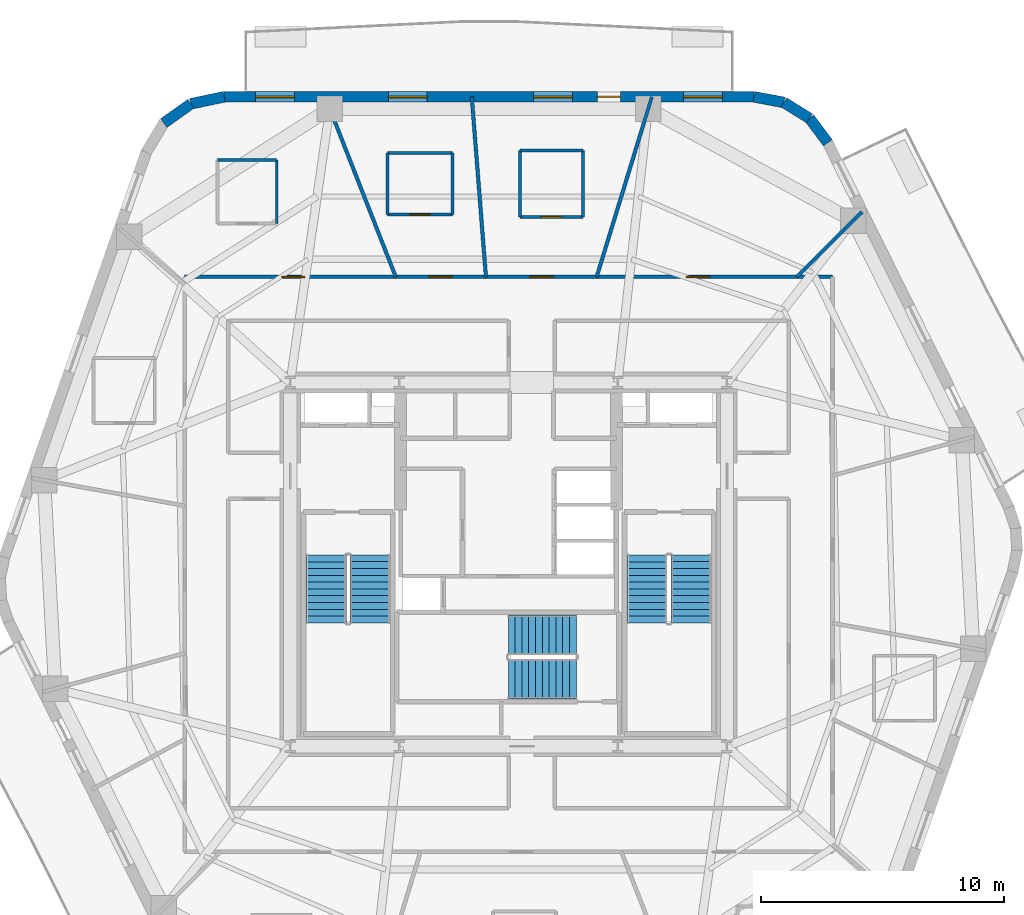
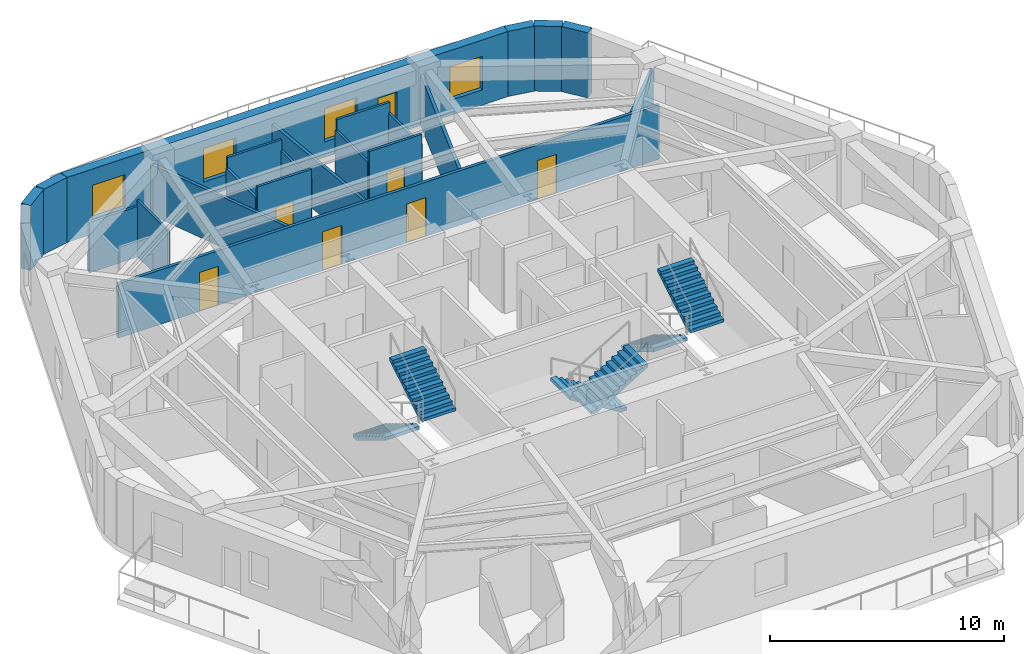
# One storey, part 6 of 10: 21 walls, 7 doors, 6 stair flights, 4 windows, 11 openings, 3 elements without a shape of their own.
"""IFC4 building model written with IfcOpenShell, lengths in metres."""

from ifc_helpers import new_model, si_unit, direction, frame, frame_2d, origin, place, context, subcontext, project, spatial, polyline, rectangle, outline, extrude, material, layer, layer_set, type_object, element, fill, aggregate, save


model = new_model("IFC4")

# Units and contexts
model_context = context("Model", 3, precision=1e-05, world=origin(), true_north=direction((0.0, 1.0)))
body_context = subcontext(model_context, "Body", "Model", "MODEL_VIEW")
ifc_project = project(units=[si_unit("LENGTHUNIT", "METRE"), si_unit("AREAUNIT", "SQUARE_METRE"), si_unit("VOLUMEUNIT", "CUBIC_METRE"), si_unit("PLANEANGLEUNIT", "RADIAN"), si_unit("MASSUNIT", "GRAM", prefix="KILO")], contexts=[model_context])

# Site, building, storey
site_placement = place(None, origin())
site = spatial("IfcSite", under=ifc_project, at=site_placement, CompositionType="ELEMENT")
building_placement = place(site_placement, origin())
building = spatial("IfcBuilding", under=site, at=building_placement, Name="Kilnhurst Terrace Hotel", CompositionType="ELEMENT")
storey_placement = place(building_placement, frame((0.0, 0.0, 148.0)))
storey = spatial("IfcBuildingStorey", under=building, at=storey_placement, Name="L36", CompositionType="ELEMENT", Elevation=148.0)

# Walls
ifc_material_1 = material(Name="Precast concrete C40/50", Category="concrete")
ifc_layer_1 = layer(ifc_material_1, 0.449951171875, Name="Precast concrete C40/50")
ifc_layer_set_1 = layer_set([ifc_layer_1], Name="Precast concrete C40/50")
wall_type_1 = type_object("IfcWallType", Name="WL-BRK-450", PredefinedType="SOLIDWALL", material=ifc_layer_set_1)
wall_1_placement = place(storey_placement, frame((13.162353515625, 17.380615234375, 0.0), z_axis=(0.0, 0.0, 1.0), x_axis=(-0.601515770517, 0.798860925205, 0.0)))
element("IfcWall", 1, at=wall_1_placement, inside=storey, type_object=wall_type_1, Name="L36 Rounded Corner Brick Wall C4.1", PredefinedType="SOLIDWALL", context=body_context, shape_type="SweptSolid", body=[
    extrude(rectangle(XDim=1.261962890625, YDim=0.449951171875, at=frame_2d((0.630859375, 0.0))), origin(), (0.0, 0.0, 1.0), 3.39990234375),
])
wall_2_placement = place(storey_placement, frame((12.4033203125, 18.388671875, 0.0), z_axis=(0.0, 0.0, 1.0), x_axis=(-0.849795170926, 0.527113049991, 0.0)))
element("IfcWall", 2, at=wall_2_placement, inside=storey, type_object=wall_type_1, Name="L36 Rounded Corner Brick Wall C4.2", PredefinedType="SOLIDWALL", context=body_context, shape_type="SweptSolid", body=[
    extrude(rectangle(XDim=1.24072265625, YDim=0.449951171875, at=frame_2d((0.620361328125, 0.0))), origin(), (0.0, 0.0, 1.0), 3.39990234375),
])
wall_3_placement = place(storey_placement, frame((11.348876953125, 19.042724609375, 0.0), z_axis=(0.0, 0.0, 1.0), x_axis=(-0.982931267051, 0.183973161772, 0.0)))
element("IfcWall", 3, at=wall_3_placement, inside=storey, type_object=wall_type_1, Name="L36 Rounded Corner Brick Wall C4.3", PredefinedType="SOLIDWALL", context=body_context, shape_type="SweptSolid", body=[
    extrude(rectangle(XDim=1.261962890625, YDim=0.449951171875, at=frame_2d((0.630859375, 0.0))), origin(), (0.0, 0.0, 1.0), 3.39990234375),
])
wall_4_placement = place(storey_placement, frame((-11.720458984375, 19.27490234375, 0.0), z_axis=(0.0, 0.0, 1.0), x_axis=(-0.97893106758, -0.204191001093, 0.0)))
element("IfcWall", 4, at=wall_4_placement, inside=storey, type_object=wall_type_1, Name="L36 Rounded Corner Brick Wall C5.1", PredefinedType="SOLIDWALL", context=body_context, shape_type="SweptSolid", body=[
    extrude(rectangle(XDim=1.400146484375, YDim=0.449951171875, at=frame_2d((0.7001953125, 0.0))), origin(), (0.0, 0.0, 1.0), 3.39990234375),
])
wall_5_placement = place(storey_placement, frame((-13.091064453125, 18.989013671875, 0.0), z_axis=(0.0, 0.0, 1.0), x_axis=(-0.815574637848, -0.578651890258, 0.0)))
element("IfcWall", 5, at=wall_5_placement, inside=storey, type_object=wall_type_1, Name="L36 Rounded Corner Brick Wall C5.2", PredefinedType="SOLIDWALL", context=body_context, shape_type="SweptSolid", body=[
    extrude(rectangle(XDim=1.376708984375, YDim=0.449951171875, at=frame_2d((0.6884765625, 0.0))), origin(), (0.0, 0.0, 1.0), 3.39990234375),
])

# Wall, openings, door, windows
wall_6_placement = place(storey_placement, frame((10.1083984375, 19.27490234375, 0.0), z_axis=(0.0, 0.0, 1.0), x_axis=(-1.0, 0.0, 0.0)))
wall_6 = element("IfcWall", 6, at=wall_6_placement, inside=storey, type_object=wall_type_1, Name="L36 Exterior Brick Facade Wall F4", PredefinedType="SOLIDWALL", context=body_context, shape_type="SweptSolid", body=[
    extrude(rectangle(XDim=21.828857421875, YDim=0.449951171875, at=frame_2d((10.91455078125, 0.0))), origin(), (0.0, 0.0, 1.0), 3.39990234375),
])
opening_1_placement = place(wall_6_placement, frame((5.5029296875, 0.0, 0.0)))
opening_1 = element("IfcOpeningElement", 7, at=opening_1_placement, cuts=wall_6, Name="Opening BD-950", PredefinedType="OPENING", context=body_context, shape_type="SweptSolid", body=[
    extrude(rectangle(XDim=0.949951171875, YDim=2.14990234375, at=frame_2d((0.47509765625, 1.074951171875))), frame((0.0, 0.23486328125, 0.0), z_axis=(0.0, -1.0, 0.0), x_axis=(1.0, 0.0, 0.0)), (0.0, 0.0, 1.0), 0.469970703125),
])
opening_2_placement = place(wall_6_placement, frame((1.297119140625, 0.0, 0.800048828125)))
opening_2 = element("IfcOpeningElement", 8, at=opening_2_placement, cuts=wall_6, Name="Opening W-05", PredefinedType="OPENING", context=body_context, shape_type="SweptSolid", body=[
    extrude(rectangle(XDim=1.60009765625, YDim=1.75, at=frame_2d((0.800048828125, 0.875))), frame((0.0, 0.23486328125, 0.0), z_axis=(0.0, -1.0, 0.0), x_axis=(1.0, 0.0, 0.0)), (0.0, 0.0, 1.0), 0.469970703125),
])
opening_3_placement = place(wall_6_placement, frame((7.47900390625, 0.0, 0.800048828125)))
opening_3 = element("IfcOpeningElement", 9, at=opening_3_placement, cuts=wall_6, Name="Opening W-05", PredefinedType="OPENING", context=body_context, shape_type="SweptSolid", body=[
    extrude(rectangle(XDim=1.60009765625, YDim=1.75, at=frame_2d((0.800048828125, 0.875))), frame((0.0, 0.23486328125, 0.0), z_axis=(0.0, -1.0, 0.0), x_axis=(1.0, 0.0, 0.0)), (0.0, 0.0, 1.0), 0.469970703125),
])
opening_4_placement = place(wall_6_placement, frame((13.4609375, 0.0, 0.800048828125)))
opening_4 = element("IfcOpeningElement", 10, at=opening_4_placement, cuts=wall_6, Name="Opening W-05", PredefinedType="OPENING", context=body_context, shape_type="SweptSolid", body=[
    extrude(rectangle(XDim=1.60009765625, YDim=1.75, at=frame_2d((0.800048828125, 0.875))), frame((0.0, 0.23486328125, 0.0), z_axis=(0.0, -1.0, 0.0), x_axis=(1.0, 0.0, 0.0)), (0.0, 0.0, 1.0), 0.469970703125),
])
opening_5_placement = place(wall_6_placement, frame((18.93310546875, 0.0, 0.800048828125)))
opening_5 = element("IfcOpeningElement", 11, at=opening_5_placement, cuts=wall_6, Name="Opening W-05", PredefinedType="OPENING", context=body_context, shape_type="SweptSolid", body=[
    extrude(rectangle(XDim=1.60009765625, YDim=1.75, at=frame_2d((0.800048828125, 0.875))), frame((0.0, 0.23486328125, 0.0), z_axis=(0.0, -1.0, 0.0), x_axis=(1.0, 0.0, 0.0)), (0.0, 0.0, 1.0), 0.469970703125),
])
ifc_material_2 = material(Name="Thermally Broken Bronze Aluminium Alloy 6063-T6 and Laminated Glass", Category="aluminium")
door_type_1 = type_object("IfcDoorType", Name="DR-EXT-BAL-950", OperationType="NOTDEFINED", PredefinedType="DOOR", material=ifc_material_2)
door_1_placement = place(opening_1_placement, origin())
door_1 = element("IfcDoor", 12, at=door_1_placement, inside=storey, type_object=door_type_1, Name="L36 Planted Balcony Door BAL-L1B", OperationType="SINGLE_SWING_RIGHT", OverallHeight=2.14990234375, OverallWidth=0.949951171875, PredefinedType="DOOR", context=body_context, shape_type="SweptSolid", body=[
    extrude(rectangle(XDim=0.949951171875, YDim=2.14990234375, at=frame_2d((0.47509765625, 1.074951171875))), frame((0.0, 0.02490234375, 0.0), z_axis=(0.0, -1.0, 0.0), x_axis=(1.0, 0.0, 0.0)), (0.0, 0.0, 1.0), 0.050048828125),
])
fill(opening_1, door_1)
ifc_material_3 = material(Name="Thermally Broken Bronze Aluminium Alloy 6063-T6 and Low-E Glass", Category="aluminium")
window_type = type_object("IfcWindowType", Name="WIN-1600X1750", PartitioningType="SINGLE_PANEL", PredefinedType="WINDOW", material=ifc_material_3)
window_1_placement = place(opening_2_placement, origin())
window_1 = element("IfcWindow", 13, at=window_1_placement, inside=storey, type_object=window_type, Name="L36 Deep-Set Masonry Window F4.1", OverallHeight=1.75, OverallWidth=1.60009765625, PartitioningType="SINGLE_PANEL", PredefinedType="WINDOW", context=body_context, shape_type="SweptSolid", body=[
    extrude(rectangle(XDim=1.60009765625, YDim=1.75, at=frame_2d((0.800048828125, 0.875))), frame((0.0, 0.030029296875, 0.0), z_axis=(0.0, -1.0, 0.0), x_axis=(1.0, 0.0, 0.0)), (0.0, 0.0, 1.0), 0.06005859375),
])
fill(opening_2, window_1)
window_2_placement = place(opening_3_placement, origin())
window_2 = element("IfcWindow", 14, at=window_2_placement, inside=storey, type_object=window_type, Name="L36 Deep-Set Masonry Window F4.2", OverallHeight=1.75, OverallWidth=1.60009765625, PartitioningType="SINGLE_PANEL", PredefinedType="WINDOW", context=body_context, shape_type="SweptSolid", body=[
    extrude(rectangle(XDim=1.60009765625, YDim=1.75, at=frame_2d((0.800048828125, 0.875))), frame((0.0, 0.030029296875, 0.0), z_axis=(0.0, -1.0, 0.0), x_axis=(1.0, 0.0, 0.0)), (0.0, 0.0, 1.0), 0.06005859375),
])
fill(opening_3, window_2)
window_3_placement = place(opening_4_placement, origin())
window_3 = element("IfcWindow", 15, at=window_3_placement, inside=storey, type_object=window_type, Name="L36 Deep-Set Masonry Window F4.3", OverallHeight=1.75, OverallWidth=1.60009765625, PartitioningType="SINGLE_PANEL", PredefinedType="WINDOW", context=body_context, shape_type="SweptSolid", body=[
    extrude(rectangle(XDim=1.60009765625, YDim=1.75, at=frame_2d((0.800048828125, 0.875))), frame((0.0, 0.030029296875, 0.0), z_axis=(0.0, -1.0, 0.0), x_axis=(1.0, 0.0, 0.0)), (0.0, 0.0, 1.0), 0.06005859375),
])
fill(opening_4, window_3)
window_4_placement = place(opening_5_placement, origin())
window_4 = element("IfcWindow", 16, at=window_4_placement, inside=storey, type_object=window_type, Name="L36 Deep-Set Masonry Window F4.4", OverallHeight=1.75, OverallWidth=1.60009765625, PartitioningType="SINGLE_PANEL", PredefinedType="WINDOW", context=body_context, shape_type="SweptSolid", body=[
    extrude(rectangle(XDim=1.60009765625, YDim=1.75, at=frame_2d((0.800048828125, 0.875))), frame((0.0, 0.030029296875, 0.0), z_axis=(0.0, -1.0, 0.0), x_axis=(1.0, 0.0, 0.0)), (0.0, 0.0, 1.0), 0.06005859375),
])
fill(opening_5, window_4)

# Wall, openings, doors
ifc_material_4 = material(Name="Acoustic Double-Gypsum Corridor Partition Assembly")
ifc_layer_2 = layer(ifc_material_4, 0.14990234375, Name="Acoustic Double-Gypsum Corridor Partition Assembly")
ifc_layer_set_2 = layer_set([ifc_layer_2], Name="Acoustic Double-Gypsum Corridor Partition Assembly")
wall_type_2 = type_object("IfcWallType", Name="WL-COR-150", PredefinedType="PARTITIONING", material=ifc_layer_set_2)
wall_7_placement = place(storey_placement, frame((-13.35009765625, 11.85009765625, 0.0), z_axis=(0.0, 0.0, 1.0), x_axis=(1.0, 0.0, 0.0)))
wall_7 = element("IfcWall", 17, at=wall_7_placement, inside=storey, type_object=wall_type_2, Name="L36 Interior Wall WL-L36-COR-03", PredefinedType="PARTITIONING", context=body_context, shape_type="SweptSolid", body=[
    extrude(rectangle(XDim=26.7001953125, YDim=0.14990234375, at=frame_2d((13.35009765625, 0.0))), origin(), (0.0, 0.0, 1.0), 2.840087890625),
])
opening_6_placement = place(wall_7_placement, frame((20.681884765625, 0.0, 0.0)))
opening_6 = element("IfcOpeningElement", 18, at=opening_6_placement, cuts=wall_7, Name="Opening D-60B", PredefinedType="OPENING", context=body_context, shape_type="SweptSolid", body=[
    extrude(rectangle(XDim=0.949951171875, YDim=2.030029296875, at=frame_2d((0.47509765625, 1.01513671875))), frame((0.0, 0.0849609375, 0.0), z_axis=(0.0, -1.0, 0.0), x_axis=(1.0, 0.0, 0.0)), (0.0, 0.0, 1.0), 0.169921875),
])
opening_7_placement = place(wall_7_placement, frame((14.22900390625, 0.0, 0.0)))
opening_7 = element("IfcOpeningElement", 19, at=opening_7_placement, cuts=wall_7, Name="Opening D-60B", PredefinedType="OPENING", context=body_context, shape_type="SweptSolid", body=[
    extrude(rectangle(XDim=0.949951171875, YDim=2.030029296875, at=frame_2d((0.47509765625, 1.01513671875))), frame((0.0, 0.0849609375, 0.0), z_axis=(0.0, -1.0, 0.0), x_axis=(1.0, 0.0, 0.0)), (0.0, 0.0, 1.0), 0.169921875),
])
opening_8_placement = place(wall_7_placement, frame((10.074951171875, 0.0, 0.0)))
opening_8 = element("IfcOpeningElement", 20, at=opening_8_placement, cuts=wall_7, Name="Opening D-60B", PredefinedType="OPENING", context=body_context, shape_type="SweptSolid", body=[
    extrude(rectangle(XDim=0.949951171875, YDim=2.030029296875, at=frame_2d((0.47509765625, 1.01513671875))), frame((0.0, 0.0849609375, 0.0), z_axis=(0.0, -1.0, 0.0), x_axis=(1.0, 0.0, 0.0)), (0.0, 0.0, 1.0), 0.169921875),
])
opening_9_placement = place(wall_7_placement, frame((3.9951171875, 0.0, 0.0)))
opening_9 = element("IfcOpeningElement", 21, at=opening_9_placement, cuts=wall_7, Name="Opening D-60B", PredefinedType="OPENING", context=body_context, shape_type="SweptSolid", body=[
    extrude(rectangle(XDim=0.949951171875, YDim=2.030029296875, at=frame_2d((0.47509765625, 1.01513671875))), frame((0.0, 0.0849609375, 0.0), z_axis=(0.0, -1.0, 0.0), x_axis=(1.0, 0.0, 0.0)), (0.0, 0.0, 1.0), 0.169921875),
])
ifc_material_5 = material(Name="Acoustic Walnut Veneer Solid-Core Fire Door")
door_type_2 = type_object("IfcDoorType", Name="DR-FD60-950", OperationType="NOTDEFINED", PredefinedType="DOOR", material=ifc_material_5)
door_2_placement = place(opening_6_placement, origin())
door_2 = element("IfcDoor", 22, at=door_2_placement, inside=storey, type_object=door_type_2, Name="L36 Fitness Studio Door", OperationType="SINGLE_SWING_RIGHT", OverallHeight=2.030029296875, OverallWidth=0.949951171875, PredefinedType="DOOR", context=body_context, shape_type="SweptSolid", body=[
    extrude(rectangle(XDim=0.949951171875, YDim=2.030029296875, at=frame_2d((0.47509765625, 1.01513671875))), frame((0.0, 0.02490234375, 0.0), z_axis=(0.0, -1.0, 0.0), x_axis=(1.0, 0.0, 0.0)), (0.0, 0.0, 1.0), 0.050048828125),
])
fill(opening_6, door_2)
door_3_placement = place(opening_7_placement, origin())
door_3 = element("IfcDoor", 23, at=door_3_placement, inside=storey, type_object=door_type_2, Name="L36 Guest Room Entry Door 3", OperationType="SINGLE_SWING_LEFT", OverallHeight=2.030029296875, OverallWidth=0.949951171875, PredefinedType="DOOR", context=body_context, shape_type="SweptSolid", body=[
    extrude(rectangle(XDim=0.949951171875, YDim=2.030029296875, at=frame_2d((0.47509765625, 1.01513671875))), frame((0.0, 0.02490234375, 0.0), z_axis=(0.0, -1.0, 0.0), x_axis=(1.0, 0.0, 0.0)), (0.0, 0.0, 1.0), 0.050048828125),
])
fill(opening_7, door_3)
door_4_placement = place(opening_8_placement, origin())
door_4 = element("IfcDoor", 24, at=door_4_placement, inside=storey, type_object=door_type_2, Name="L36 Guest Room Entry Door 4", OperationType="SINGLE_SWING_RIGHT", OverallHeight=2.030029296875, OverallWidth=0.949951171875, PredefinedType="DOOR", context=body_context, shape_type="SweptSolid", body=[
    extrude(rectangle(XDim=0.949951171875, YDim=2.030029296875, at=frame_2d((0.47509765625, 1.01513671875))), frame((0.0, 0.02490234375, 0.0), z_axis=(0.0, -1.0, 0.0), x_axis=(1.0, 0.0, 0.0)), (0.0, 0.0, 1.0), 0.050048828125),
])
fill(opening_8, door_4)
door_5_placement = place(opening_9_placement, origin())
door_5 = element("IfcDoor", 25, at=door_5_placement, inside=storey, type_object=door_type_2, Name="L36 Executive Suite Entry Door 5", OperationType="SINGLE_SWING_LEFT", OverallHeight=2.030029296875, OverallWidth=0.949951171875, PredefinedType="DOOR", context=body_context, shape_type="SweptSolid", body=[
    extrude(rectangle(XDim=0.949951171875, YDim=2.030029296875, at=frame_2d((0.47509765625, 1.01513671875))), frame((0.0, 0.02490234375, 0.0), z_axis=(0.0, -1.0, 0.0), x_axis=(1.0, 0.0, 0.0)), (0.0, 0.0, 1.0), 0.050048828125),
])
fill(opening_9, door_5)

# Walls
ifc_material_6 = material(Name="STC-58 Acoustic Twin-Frame Guestroom Demising Partition")
ifc_layer_3 = layer(ifc_material_6, 0.14990234375, Name="STC-58 Acoustic Twin-Frame Guestroom Demising Partition")
ifc_layer_set_3 = layer_set([ifc_layer_3], Name="STC-58 Acoustic Twin-Frame Guestroom Demising Partition")
wall_type_3 = type_object("IfcWallType", Name="WL-DEM-150", PredefinedType="PARTITIONING", material=ifc_layer_set_3)
wall_8_placement = place(storey_placement, frame((11.8818359375, 11.85009765625, 0.0), z_axis=(0.0, 0.0, 1.0), x_axis=(0.708037373639, 0.706174962407, 0.0)))
element("IfcWall", 26, at=wall_8_placement, inside=storey, type_object=wall_type_3, Name="L36 Interior Wall WL-L36-DEM-COL02-02-1", PredefinedType="PARTITIONING", context=body_context, shape_type="SweptSolid", body=[
    extrude(rectangle(XDim=3.801513671875, YDim=0.14990234375, at=frame_2d((1.90087890625, 0.0))), origin(), (0.0, 0.0, 1.0), 2.639892578125),
])
wall_9_placement = place(storey_placement, frame((3.63134765625, 11.85009765625, 0.0), z_axis=(0.0, 0.0, 1.0), x_axis=(0.293007573338, 0.956110120209, 0.0)))
element("IfcWall", 27, at=wall_9_placement, inside=storey, type_object=wall_type_3, Name="L36 Interior Wall WL-L36-DEM-COL03-03-1", PredefinedType="PARTITIONING", context=body_context, shape_type="SweptSolid", body=[
    extrude(rectangle(XDim=7.765625, YDim=0.14990234375, at=frame_2d((3.8828125, 0.0))), origin(), (0.0, 0.0, 1.0), 2.639892578125),
])
wall_10_placement = place(storey_placement, frame((-0.932861328125, 11.85009765625, 0.0), z_axis=(0.0, 0.0, 1.0), x_axis=(-0.078476156849, 0.996915990847, 0.0)))
element("IfcWall", 28, at=wall_10_placement, inside=storey, type_object=wall_type_3, Name="L36 Interior Wall WL-L36-DEM-MID03-04-1", PredefinedType="PARTITIONING", context=body_context, shape_type="SweptSolid", body=[
    extrude(rectangle(XDim=7.44775390625, YDim=0.14990234375, at=frame_2d((3.723876953125, 0.0))), origin(), (0.0, 0.0, 1.0), 2.639892578125),
])
wall_11_placement = place(storey_placement, frame((-4.64990234375, 11.85009765625, 0.0), z_axis=(0.0, 0.0, 1.0), x_axis=(-0.365265947993, 0.930903210456, 0.0)))
element("IfcWall", 29, at=wall_11_placement, inside=storey, type_object=wall_type_3, Name="L36 Interior Wall WL-L36-DEM-COL04-05-1", PredefinedType="PARTITIONING", context=body_context, shape_type="SweptSolid", body=[
    extrude(rectangle(XDim=7.975830078125, YDim=0.14990234375, at=frame_2d((3.98779296875, 0.0))), origin(), (0.0, 0.0, 1.0), 2.639892578125),
])

# Wall, opening, door
ifc_material_7 = material(Name="120 mm Moisture-Resistant Tile-Backed Bathroom Partition")
ifc_layer_4 = layer(ifc_material_7, 0.1201171875, Name="120 mm Moisture-Resistant Tile-Backed Bathroom Partition")
ifc_layer_set_4 = layer_set([ifc_layer_4], Name="120 mm Moisture-Resistant Tile-Backed Bathroom Partition")
wall_type_4 = type_object("IfcWallType", Name="WL-PART-120", PredefinedType="PARTITIONING", material=ifc_layer_set_4)
wall_12_placement = place(storey_placement, frame((0.464111328125, 14.31298828125, 0.0), z_axis=(0.0, 0.0, 1.0), x_axis=(1.0, 0.0, 0.0)))
wall_12 = element("IfcWall", 30, at=wall_12_placement, inside=storey, type_object=wall_type_4, Name="L36 Interior Wall WL-L36-BTH-03-1", PredefinedType="PARTITIONING", context=body_context, shape_type="SweptSolid", body=[
    extrude(rectangle(XDim=2.599853515625, YDim=0.1201171875, at=frame_2d((1.2998046875, 0.0))), origin(), (0.0, 0.0, 1.0), 3.39990234375),
])
opening_10_placement = place(wall_12_placement, frame((0.875, 0.0, 0.0)))
opening_10 = element("IfcOpeningElement", 31, at=opening_10_placement, cuts=wall_12, Name="Opening D-08A", PredefinedType="OPENING", context=body_context, shape_type="SweptSolid", body=[
    extrude(rectangle(XDim=0.85009765625, YDim=2.030029296875, at=frame_2d((0.425048828125, 1.01513671875))), frame((0.0, 0.070068359375, 0.0), z_axis=(0.0, -1.0, 0.0), x_axis=(1.0, 0.0, 0.0)), (0.0, 0.0, 1.0), 0.14013671875),
])
ifc_material_8 = material(Name="Moisture-Resistant Lacquered En-suite Bathroom Door")
door_type_3 = type_object("IfcDoorType", Name="DR-INT-850", OperationType="NOTDEFINED", PredefinedType="DOOR", material=ifc_material_8)
door_6_placement = place(opening_10_placement, origin())
door_6 = element("IfcDoor", 32, at=door_6_placement, inside=storey, type_object=door_type_3, Name="L36 En-suite Bathroom Door 3", OperationType="SINGLE_SWING_RIGHT", OverallHeight=2.030029296875, OverallWidth=0.85009765625, PredefinedType="DOOR", context=body_context, shape_type="SweptSolid", body=[
    extrude(rectangle(XDim=0.85009765625, YDim=2.030029296875, at=frame_2d((0.425048828125, 1.01513671875))), frame((0.0, 0.02490234375, 0.0), z_axis=(0.0, -1.0, 0.0), x_axis=(1.0, 0.0, 0.0)), (0.0, 0.0, 1.0), 0.050048828125),
])
fill(opening_10, door_6)

# Walls
wall_13_placement = place(storey_placement, frame((3.06396484375, 14.31298828125, 0.0), z_axis=(0.0, 0.0, 1.0), x_axis=(0.0, 1.0, 0.0)))
element("IfcWall", 33, at=wall_13_placement, inside=storey, type_object=wall_type_4, Name="L36 Interior Wall WL-L36-BTH-03-2", PredefinedType="PARTITIONING", context=body_context, shape_type="SweptSolid", body=[
    extrude(rectangle(XDim=2.75, YDim=0.1201171875, at=frame_2d((1.375, 0.0))), origin(), (0.0, 0.0, 1.0), 2.840576171875),
])
wall_14_placement = place(storey_placement, frame((3.06396484375, 17.06298828125, 0.0), z_axis=(0.0, 0.0, 1.0), x_axis=(-1.0, 0.0, 0.0)))
element("IfcWall", 34, at=wall_14_placement, inside=storey, type_object=wall_type_4, Name="L36 Interior Wall WL-L36-BTH-03-3", PredefinedType="PARTITIONING", context=body_context, shape_type="SweptSolid", body=[
    extrude(rectangle(XDim=2.599853515625, YDim=0.1201171875, at=frame_2d((1.2998046875, 0.0))), origin(), (0.0, 0.0, 1.0), 3.39990234375),
])
wall_15_placement = place(storey_placement, frame((0.464111328125, 17.06298828125, 0.0), z_axis=(0.0, 0.0, 1.0), x_axis=(0.0, -1.0, 0.0)))
element("IfcWall", 35, at=wall_15_placement, inside=storey, type_object=wall_type_4, Name="L36 Interior Wall WL-L36-BTH-03-4", PredefinedType="PARTITIONING", context=body_context, shape_type="SweptSolid", body=[
    extrude(rectangle(XDim=2.75, YDim=0.1201171875, at=frame_2d((1.375, 0.0))), origin(), (0.0, 0.0, 1.0), 2.840576171875),
])

# Wall, opening, door
wall_16_placement = place(storey_placement, frame((-4.998046875, 14.41796875, 0.0), z_axis=(0.0, 0.0, 1.0), x_axis=(1.0, 0.0, 0.0)))
wall_16 = element("IfcWall", 36, at=wall_16_placement, inside=storey, type_object=wall_type_4, Name="L36 Interior Wall WL-L36-BTH-04-1", PredefinedType="PARTITIONING", context=body_context, shape_type="SweptSolid", body=[
    extrude(rectangle(XDim=2.679931640625, YDim=0.1201171875, at=frame_2d((1.33984375, 0.0))), origin(), (0.0, 0.0, 1.0), 3.39990234375),
])
opening_11_placement = place(wall_16_placement, frame((0.9150390625, 0.0, 0.0)))
opening_11 = element("IfcOpeningElement", 37, at=opening_11_placement, cuts=wall_16, Name="Opening D-08A", PredefinedType="OPENING", context=body_context, shape_type="SweptSolid", body=[
    extrude(rectangle(XDim=0.85009765625, YDim=2.030029296875, at=frame_2d((0.425048828125, 1.01513671875))), frame((0.0, 0.070068359375, 0.0), z_axis=(0.0, -1.0, 0.0), x_axis=(1.0, 0.0, 0.0)), (0.0, 0.0, 1.0), 0.14013671875),
])
door_7_placement = place(opening_11_placement, origin())
door_7 = element("IfcDoor", 38, at=door_7_placement, inside=storey, type_object=door_type_3, Name="L36 En-suite Bathroom Door 4", OperationType="SINGLE_SWING_LEFT", OverallHeight=2.030029296875, OverallWidth=0.85009765625, PredefinedType="DOOR", context=body_context, shape_type="SweptSolid", body=[
    extrude(rectangle(XDim=0.85009765625, YDim=2.030029296875, at=frame_2d((0.425048828125, 1.01513671875))), frame((0.0, 0.02490234375, 0.0), z_axis=(0.0, -1.0, 0.0), x_axis=(1.0, 0.0, 0.0)), (0.0, 0.0, 1.0), 0.050048828125),
])
fill(opening_11, door_7)

# Walls
wall_17_placement = place(storey_placement, frame((-2.318115234375, 14.41796875, 0.0), z_axis=(0.0, 0.0, 1.0), x_axis=(0.0, 1.0, 0.0)))
element("IfcWall", 39, at=wall_17_placement, inside=storey, type_object=wall_type_4, Name="L36 Interior Wall WL-L36-BTH-04-2", PredefinedType="PARTITIONING", context=body_context, shape_type="SweptSolid", body=[
    extrude(rectangle(XDim=2.5400390625, YDim=0.1201171875, at=frame_2d((1.27001953125, 0.0))), origin(), (0.0, 0.0, 1.0), 2.840576171875),
])
wall_18_placement = place(storey_placement, frame((-2.318115234375, 16.9580078125, 0.0), z_axis=(0.0, 0.0, 1.0), x_axis=(-1.0, 0.0, 0.0)))
element("IfcWall", 40, at=wall_18_placement, inside=storey, type_object=wall_type_4, Name="L36 Interior Wall WL-L36-BTH-04-3", PredefinedType="PARTITIONING", context=body_context, shape_type="SweptSolid", body=[
    extrude(rectangle(XDim=2.679931640625, YDim=0.1201171875, at=frame_2d((1.33984375, 0.0))), origin(), (0.0, 0.0, 1.0), 3.39990234375),
])
wall_19_placement = place(storey_placement, frame((-4.998046875, 16.9580078125, 0.0), z_axis=(0.0, 0.0, 1.0), x_axis=(0.0, -1.0, 0.0)))
element("IfcWall", 41, at=wall_19_placement, inside=storey, type_object=wall_type_4, Name="L36 Interior Wall WL-L36-BTH-04-4", PredefinedType="PARTITIONING", context=body_context, shape_type="SweptSolid", body=[
    extrude(rectangle(XDim=2.5400390625, YDim=0.1201171875, at=frame_2d((1.27001953125, 0.0))), origin(), (0.0, 0.0, 1.0), 2.840576171875),
])
wall_20_placement = place(storey_placement, frame((-9.555908203125, 14.056884765625, 0.0), z_axis=(0.0, 0.0, 1.0), x_axis=(0.0, 1.0, 0.0)))
element("IfcWall", 42, at=wall_20_placement, inside=storey, type_object=wall_type_4, Name="L36 Interior Wall WL-L36-BTH-05-2", PredefinedType="PARTITIONING", context=body_context, shape_type="SweptSolid", body=[
    extrude(rectangle(XDim=2.610107421875, YDim=0.1201171875, at=frame_2d((1.30517578125, 0.0))), origin(), (0.0, 0.0, 1.0), 2.926513671875),
])
wall_21_placement = place(storey_placement, frame((-9.555908203125, 16.6669921875, 0.0), z_axis=(0.0, 0.0, 1.0), x_axis=(-1.0, 0.0, 0.0)))
element("IfcWall", 43, at=wall_21_placement, inside=storey, type_object=wall_type_4, Name="L36 Interior Wall WL-L36-BTH-05-3", PredefinedType="PARTITIONING", context=body_context, shape_type="SweptSolid", body=[
    extrude(rectangle(XDim=2.440185546875, YDim=0.1201171875, at=frame_2d((1.22021484375, 0.0))), origin(), (0.0, 0.0, 1.0), 2.639892578125),
])

# Stair, stair flights
ifc_material_9 = material(Name="Concrete C50/60", Category="concrete")
stair_type = type_object("IfcStairType", Name="STR-CORE-1660", PredefinedType="HALF_TURN_STAIR", material=ifc_material_9)
stair_1_placement = place(storey_placement, origin())
stair_1 = element("IfcStair", 44, at=stair_1_placement, inside=storey, type_object=stair_type, Name="L36 ST-1", PredefinedType="HALF_TURN_STAIR")
stair_flight_type = type_object("IfcStairFlightType", Name="FLT-RC-1660", PredefinedType="STRAIGHT", material=ifc_material_9)
stair_flight_1_placement = place(storey_placement, frame((-7.52001953125, 0.389892578125, 0.0), z_axis=(0.0, 0.0, 1.0), x_axis=(0.0, -1.0, 0.0)))
stair_flight_1 = element("IfcStairFlight", 45, at=stair_flight_1_placement, type_object=stair_flight_type, Name="ST-1 flight 1", NumberOfRisers=11, NumberOfTreads=10, PredefinedType="STRAIGHT", RiserHeight=0.168181818, TreadLength=0.28, context=body_context, shape_type="SweptSolid", body=[
    extrude(outline(polyline([(0.0, 0.0), (0.0, 0.168212890625), (0.280029296875, 0.168212890625), (0.280029296875, 0.33642578125), (0.56005859375, 0.33642578125), (0.56005859375, 0.504638671875), (0.840087890625, 0.504638671875), (0.840087890625, 0.672607421875), (1.1201171875, 0.672607421875), (1.1201171875, 0.8408203125), (1.39990234375, 0.8408203125), (1.39990234375, 1.009033203125), (1.679931640625, 1.009033203125), (1.679931640625, 1.17724609375), (1.9599609375, 1.17724609375), (1.9599609375, 1.345458984375), (2.239990234375, 1.345458984375), (2.239990234375, 1.513671875), (2.52001953125, 1.513671875), (2.52001953125, 1.681884765625), (2.800048828125, 1.681884765625), (2.800048828125, 1.85009765625), (2.800048828125, 1.5068359375), (0.291015625, 0.0), (0.0, 0.0)])), frame((0.0, 0.830078125, 0.0), z_axis=(0.0, -1.0, 0.0), x_axis=(1.0, 0.0, 0.0)), (0.0, 0.0, 1.0), 1.659912109375),
])
stair_flight_2_placement = place(storey_placement, frame((-5.7099609375, -2.409912109375, 1.85009765625), z_axis=(0.0, 0.0, 1.0), x_axis=(0.0, 1.0, 0.0)))
stair_flight_2 = element("IfcStairFlight", 46, at=stair_flight_2_placement, type_object=stair_flight_type, Name="ST-1 flight 2", NumberOfRisers=11, NumberOfTreads=10, PredefinedType="STRAIGHT", RiserHeight=0.168181818, TreadLength=0.28, context=body_context, shape_type="SweptSolid", body=[
    extrude(outline(polyline([(0.0, 0.0), (0.0, 0.168212890625), (0.280029296875, 0.168212890625), (0.280029296875, 0.33642578125), (0.56005859375, 0.33642578125), (0.56005859375, 0.504638671875), (0.840087890625, 0.504638671875), (0.840087890625, 0.672607421875), (1.1201171875, 0.672607421875), (1.1201171875, 0.8408203125), (1.39990234375, 0.8408203125), (1.39990234375, 1.009033203125), (1.679931640625, 1.009033203125), (1.679931640625, 1.17724609375), (1.9599609375, 1.17724609375), (1.9599609375, 1.345458984375), (2.239990234375, 1.345458984375), (2.239990234375, 1.513671875), (2.52001953125, 1.513671875), (2.52001953125, 1.681884765625), (2.800048828125, 1.681884765625), (2.800048828125, 1.85009765625), (2.800048828125, 1.5068359375), (0.291015625, 0.0), (0.0, 0.0)])), frame((0.0, 0.830078125, 0.0), z_axis=(0.0, -1.0, 0.0), x_axis=(1.0, 0.0, 0.0)), (0.0, 0.0, 1.0), 1.659912109375),
])
aggregate(stair_1, [stair_flight_1, stair_flight_2])

stair_2_placement = place(storey_placement, origin())
stair_2 = element("IfcStair", 47, at=stair_2_placement, inside=storey, type_object=stair_type, Name="L36 ST-2", PredefinedType="HALF_TURN_STAIR")
stair_flight_3_placement = place(storey_placement, frame((5.7099609375, 0.389892578125, 0.0), z_axis=(0.0, 0.0, 1.0), x_axis=(0.0, -1.0, 0.0)))
stair_flight_3 = element("IfcStairFlight", 48, at=stair_flight_3_placement, type_object=stair_flight_type, Name="ST-2 flight 1", NumberOfRisers=11, NumberOfTreads=10, PredefinedType="STRAIGHT", RiserHeight=0.168181818, TreadLength=0.28, context=body_context, shape_type="SweptSolid", body=[
    extrude(outline(polyline([(0.0, 0.0), (0.0, 0.168212890625), (0.280029296875, 0.168212890625), (0.280029296875, 0.33642578125), (0.56005859375, 0.33642578125), (0.56005859375, 0.504638671875), (0.840087890625, 0.504638671875), (0.840087890625, 0.672607421875), (1.1201171875, 0.672607421875), (1.1201171875, 0.8408203125), (1.39990234375, 0.8408203125), (1.39990234375, 1.009033203125), (1.679931640625, 1.009033203125), (1.679931640625, 1.17724609375), (1.9599609375, 1.17724609375), (1.9599609375, 1.345458984375), (2.239990234375, 1.345458984375), (2.239990234375, 1.513671875), (2.52001953125, 1.513671875), (2.52001953125, 1.681884765625), (2.800048828125, 1.681884765625), (2.800048828125, 1.85009765625), (2.800048828125, 1.5068359375), (0.291015625, 0.0), (0.0, 0.0)])), frame((0.0, 0.830078125, 0.0), z_axis=(0.0, -1.0, 0.0), x_axis=(1.0, 0.0, 0.0)), (0.0, 0.0, 1.0), 1.659912109375),
])
stair_flight_4_placement = place(storey_placement, frame((7.52001953125, -2.409912109375, 1.85009765625), z_axis=(0.0, 0.0, 1.0), x_axis=(0.0, 1.0, 0.0)))
stair_flight_4 = element("IfcStairFlight", 49, at=stair_flight_4_placement, type_object=stair_flight_type, Name="ST-2 flight 2", NumberOfRisers=11, NumberOfTreads=10, PredefinedType="STRAIGHT", RiserHeight=0.168181818, TreadLength=0.28, context=body_context, shape_type="SweptSolid", body=[
    extrude(outline(polyline([(0.0, 0.0), (0.0, 0.168212890625), (0.280029296875, 0.168212890625), (0.280029296875, 0.33642578125), (0.56005859375, 0.33642578125), (0.56005859375, 0.504638671875), (0.840087890625, 0.504638671875), (0.840087890625, 0.672607421875), (1.1201171875, 0.672607421875), (1.1201171875, 0.8408203125), (1.39990234375, 0.8408203125), (1.39990234375, 1.009033203125), (1.679931640625, 1.009033203125), (1.679931640625, 1.17724609375), (1.9599609375, 1.17724609375), (1.9599609375, 1.345458984375), (2.239990234375, 1.345458984375), (2.239990234375, 1.513671875), (2.52001953125, 1.513671875), (2.52001953125, 1.681884765625), (2.800048828125, 1.681884765625), (2.800048828125, 1.85009765625), (2.800048828125, 1.5068359375), (0.291015625, 0.0), (0.0, 0.0)])), frame((0.0, 0.830078125, 0.0), z_axis=(0.0, -1.0, 0.0), x_axis=(1.0, 0.0, 0.0)), (0.0, 0.0, 1.0), 1.659912109375),
])
aggregate(stair_2, [stair_flight_3, stair_flight_4])

stair_3_placement = place(storey_placement, origin())
stair_3 = element("IfcStair", 50, at=stair_3_placement, inside=storey, type_object=stair_type, Name="L36 ST-3", PredefinedType="HALF_TURN_STAIR")
stair_flight_5_placement = place(storey_placement, frame((2.7900390625, -2.909912109375, 0.0), z_axis=(0.0, 0.0, 1.0), x_axis=(-1.0, 0.0, 0.0)))
stair_flight_5 = element("IfcStairFlight", 51, at=stair_flight_5_placement, type_object=stair_flight_type, Name="ST-3 flight 1", NumberOfRisers=11, NumberOfTreads=10, PredefinedType="STRAIGHT", RiserHeight=0.168181818, TreadLength=0.28, context=body_context, shape_type="SweptSolid", body=[
    extrude(outline(polyline([(0.0, 0.0), (0.0, 0.168212890625), (0.280029296875, 0.168212890625), (0.280029296875, 0.33642578125), (0.56005859375, 0.33642578125), (0.56005859375, 0.504638671875), (0.840087890625, 0.504638671875), (0.840087890625, 0.672607421875), (1.1201171875, 0.672607421875), (1.1201171875, 0.8408203125), (1.39990234375, 0.8408203125), (1.39990234375, 1.009033203125), (1.679931640625, 1.009033203125), (1.679931640625, 1.17724609375), (1.9599609375, 1.17724609375), (1.9599609375, 1.345458984375), (2.239990234375, 1.345458984375), (2.239990234375, 1.513671875), (2.52001953125, 1.513671875), (2.52001953125, 1.681884765625), (2.800048828125, 1.681884765625), (2.800048828125, 1.85009765625), (2.800048828125, 1.5068359375), (0.291015625, 0.0), (0.0, 0.0)])), frame((0.0, 0.830078125, 0.0), z_axis=(0.0, -1.0, 0.0), x_axis=(1.0, 0.0, 0.0)), (0.0, 0.0, 1.0), 1.659912109375),
])
stair_flight_6_placement = place(storey_placement, frame((-0.010009765625, -4.719970703125, 1.85009765625), z_axis=(0.0, 0.0, 1.0), x_axis=(1.0, 0.0, 0.0)))
stair_flight_6 = element("IfcStairFlight", 52, at=stair_flight_6_placement, type_object=stair_flight_type, Name="ST-3 flight 2", NumberOfRisers=11, NumberOfTreads=10, PredefinedType="STRAIGHT", RiserHeight=0.168181818, TreadLength=0.28, context=body_context, shape_type="SweptSolid", body=[
    extrude(outline(polyline([(0.0, 0.0), (0.0, 0.168212890625), (0.280029296875, 0.168212890625), (0.280029296875, 0.33642578125), (0.56005859375, 0.33642578125), (0.56005859375, 0.504638671875), (0.840087890625, 0.504638671875), (0.840087890625, 0.672607421875), (1.1201171875, 0.672607421875), (1.1201171875, 0.8408203125), (1.39990234375, 0.8408203125), (1.39990234375, 1.009033203125), (1.679931640625, 1.009033203125), (1.679931640625, 1.17724609375), (1.9599609375, 1.17724609375), (1.9599609375, 1.345458984375), (2.239990234375, 1.345458984375), (2.239990234375, 1.513671875), (2.52001953125, 1.513671875), (2.52001953125, 1.681884765625), (2.800048828125, 1.681884765625), (2.800048828125, 1.85009765625), (2.800048828125, 1.5068359375), (0.291015625, 0.0), (0.0, 0.0)])), frame((0.0, 0.830078125, 0.0), z_axis=(0.0, -1.0, 0.0), x_axis=(1.0, 0.0, 0.0)), (0.0, 0.0, 1.0), 1.659912109375),
])
aggregate(stair_3, [stair_flight_5, stair_flight_6])

save(model, "model.ifc")
